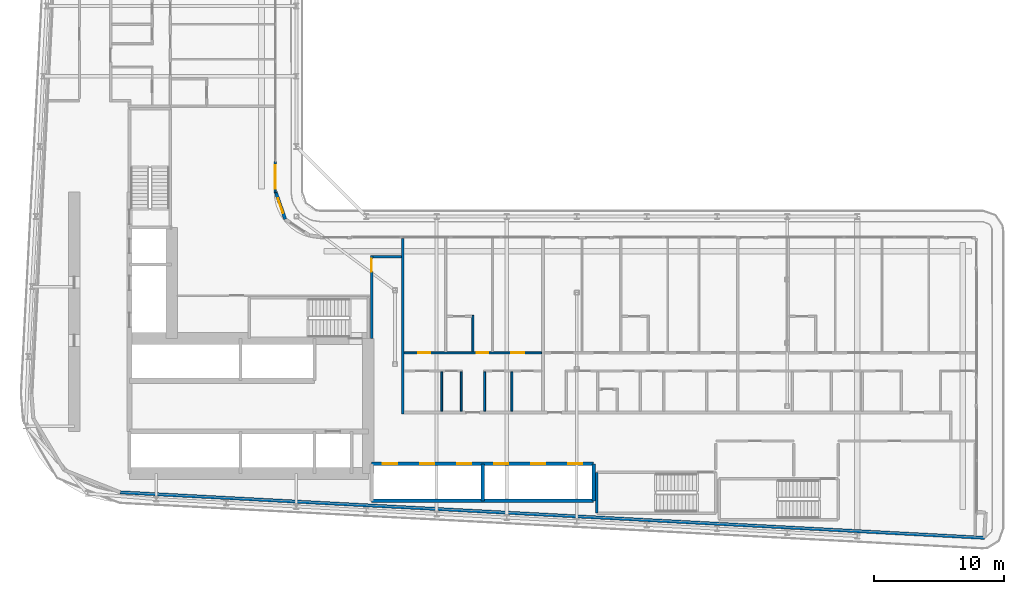
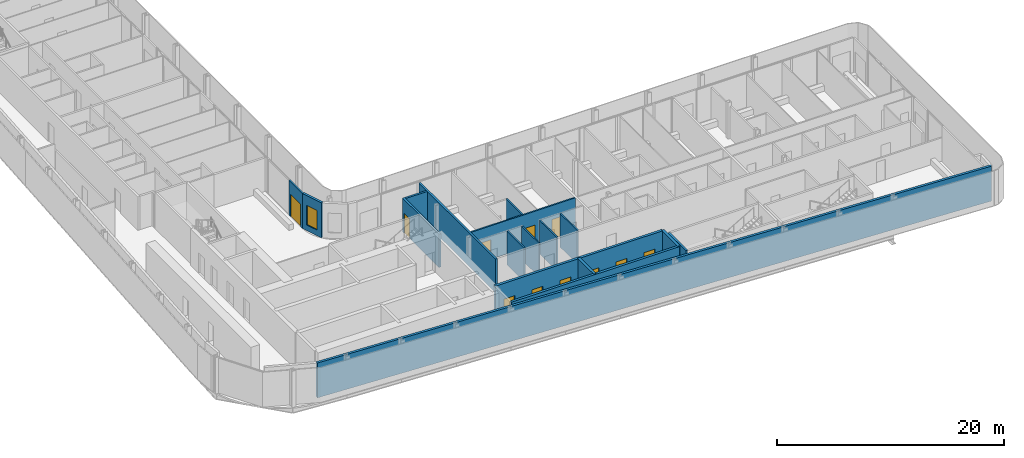
# One storey, part 15 of 29: 17 walls, 11 doors, 1 window, 12 openings.
"""IFC4 building model written with IfcOpenShell, lengths in metres."""

from ifc_helpers import new_model, si_unit, direction, frame, frame_2d, origin, place, context, subcontext, project, spatial, rectangle, extrude, source, transform, mapped, material, layer, layer_set, type_object, element, fill, save


model = new_model("IFC4")

# Units and contexts
model_context = context("Model", 3, precision=1e-05, world=origin(), true_north=direction((0.0, 1.0)))
body_context = subcontext(model_context, "Body", "Model", "MODEL_VIEW")
ifc_project = project(units=[si_unit("LENGTHUNIT", "METRE"), si_unit("AREAUNIT", "SQUARE_METRE"), si_unit("VOLUMEUNIT", "CUBIC_METRE"), si_unit("PLANEANGLEUNIT", "RADIAN"), si_unit("MASSUNIT", "GRAM", prefix="KILO")], contexts=[model_context])

# Site, building, storey
site_placement = place(None, origin())
site = spatial("IfcSite", under=ifc_project, at=site_placement, CompositionType="ELEMENT")
building_placement = place(site_placement, origin())
building = spatial("IfcBuilding", under=site, at=building_placement, Name="Kheshtan School and Residences Tower", CompositionType="ELEMENT")
storey_placement = place(building_placement, frame((0.0, 0.0, 121.39990234375)))
storey = spatial("IfcBuildingStorey", under=building, at=storey_placement, Name="L28", CompositionType="ELEMENT", Elevation=121.39990234375)

# Wall, opening, door
ifc_material_1 = material(Name="Gypsum board on steel studs with fire boards", Category="steel")
ifc_layer_1 = layer(ifc_material_1, 0.199951171875)
ifc_layer_set_1 = layer_set([ifc_layer_1], Name="Corridor wall 200")
wall_type_1 = type_object("IfcWallType", Name="Corridor wall 200", PredefinedType="PARTITIONING", material=ifc_layer_set_1)
wall_1_placement = place(storey_placement, frame((53.39990234375, 36.198974609375, 0.0), z_axis=(0.0, 0.0, 1.0), x_axis=(0.0, 1.0, 0.0)))
wall_1 = element("IfcWall", 1, at=wall_1_placement, inside=storey, type_object=wall_type_1, Name="Partition L28-048", PredefinedType="PARTITIONING", context=body_context, shape_type="SweptSolid", body=[
    extrude(rectangle(XDim=6.401123046875, YDim=0.199951171875, at=frame_2d((3.20068359375, 0.0))), origin(), (0.0, 0.0, 1.0), 3.60009765625),
])
opening_1_placement = place(wall_1_placement, frame((5.15087890625, 0.0, 0.0)))
opening_1 = element("IfcOpeningElement", 2, at=opening_1_placement, cuts=wall_1, Name="Opening D27-067", PredefinedType="OPENING", context=body_context, shape_type="SweptSolid", body=[
    extrude(rectangle(XDim=1.0, YDim=2.10009765625, at=frame_2d((0.5, 1.050048828125))), frame((0.0, 0.10986328125, 0.0), z_axis=(0.0, -1.0, 0.0), x_axis=(1.0, 0.0, 0.0)), (0.0, 0.0, 1.0), 0.219970703125),
])
ifc_material_2 = material(Name="Steel-framed fire-resisting door leaf", Category="steel")
door_type_1 = type_object("IfcDoorType", Name="Fire door FD60 1000 x 2100", OperationType="SINGLE_SWING_LEFT", PredefinedType="DOOR", material=ifc_material_2)
shared_shape_1 = source(origin(), body_context, "Body", "SweptSolid", [
    extrude(rectangle(XDim=1.0, YDim=2.10009765625, at=frame_2d((0.5, 1.050048828125))), frame((0.0, 0.02490234375, 0.0), z_axis=(0.0, -1.0, 0.0), x_axis=(1.0, 0.0, 0.0)), (0.0, 0.0, 1.0), 0.050048828125),
])
door_1_placement = place(opening_1_placement, origin())
door_1 = element("IfcDoor", 3, at=door_1_placement, inside=storey, type_object=door_type_1, Name="Door D27-067", OperationType="SINGLE_SWING_RIGHT", OverallHeight=2.10009765625, OverallWidth=1.0, PredefinedType="DOOR", context=body_context, shape_type="MappedRepresentation", body=[
    mapped(shared_shape_1, transform((0.0, 0.0, 0.0), x_axis=(1.0, 0.0, 0.0), y_axis=(0.0, 1.0, 0.0), z_axis=(0.0, 0.0, 1.0), scale=1.0)),
])
fill(opening_1, door_1)

# Wall
wall_2_placement = place(storey_placement, frame((53.5, 42.5, 0.0), z_axis=(0.0, 0.0, 1.0), x_axis=(1.0, 0.0, 0.0)))
element("IfcWall", 4, at=wall_2_placement, inside=storey, type_object=wall_type_1, Name="Partition L28-049", PredefinedType="PARTITIONING", context=body_context, shape_type="SweptSolid", body=[
    extrude(rectangle(XDim=2.199951171875, YDim=0.199951171875, at=frame_2d((1.10009765625, 0.0))), origin(), (0.0, 0.0, 1.0), 3.60009765625),
])

# Wall, opening, window
ifc_material_3 = material(Name="Concrete C40/50 with ceramic cladding and mineral wool insulation", Category="concrete")
ifc_layer_2 = layer(ifc_material_3, 0.25)
ifc_layer_set_2 = layer_set([ifc_layer_2], Name="External wall 250 ceramic clad")
wall_type_2 = type_object("IfcWallType", Name="External wall 250 ceramic clad", PredefinedType="SOLIDWALL", material=ifc_layer_set_2)
wall_3_placement = place(storey_placement, frame((46.01806640625, 47.470947265625, 0.0), z_axis=(0.0, 0.0, 1.0), x_axis=(0.328791208903, -0.944402637093, 0.0)))
wall_3 = element("IfcWall", 5, at=wall_3_placement, inside=storey, type_object=wall_type_2, Name="External wall L28 9", PredefinedType="SOLIDWALL", context=body_context, shape_type="SweptSolid", body=[
    extrude(rectangle(XDim=2.20458984375, YDim=0.25, at=frame_2d((1.102294921875, 0.0))), origin(), (0.0, 0.0, 1.0), 3.75),
])
opening_2_placement = place(wall_3_placement, frame((0.5029296875, 0.0, 0.60009765625)))
opening_2 = element("IfcOpeningElement", 6, at=opening_2_placement, cuts=wall_3, Name="Opening WN-E", PredefinedType="OPENING", context=body_context, shape_type="SweptSolid", body=[
    extrude(rectangle(XDim=1.199951171875, YDim=2.10009765625, at=frame_2d((0.60009765625, 1.050048828125))), frame((0.0, 0.135009765625, 0.0), z_axis=(0.0, -1.0, 0.0), x_axis=(1.0, 0.0, 0.0)), (0.0, 0.0, 1.0), 0.27001953125),
])
ifc_material_4 = material(Name="Clear low-e glass in thermally broken aluminium frame", Category="aluminium")
window_type = type_object("IfcWindowType", Name="Window WN-E", PartitioningType="SINGLE_PANEL", PredefinedType="WINDOW", material=ifc_material_4)
shared_shape_2 = source(origin(), body_context, "Body", "SweptSolid", [
    extrude(rectangle(XDim=1.199951171875, YDim=2.10009765625, at=frame_2d((0.60009765625, 1.050048828125))), frame((0.0, 0.030029296875, 0.0), z_axis=(0.0, -1.0, 0.0), x_axis=(1.0, 0.0, 0.0)), (0.0, 0.0, 1.0), 0.06005859375),
])
window_placement = place(opening_2_placement, origin())
window = element("IfcWindow", 7, at=window_placement, inside=storey, type_object=window_type, Name="Window L28 9", OverallHeight=2.10009765625, OverallWidth=1.199951171875, PartitioningType="SINGLE_PANEL", PredefinedType="WINDOW", context=body_context, shape_type="MappedRepresentation", body=[
    mapped(shared_shape_2, transform((0.0, 0.0, 0.0), x_axis=(1.0, 0.0, 0.0), y_axis=(0.0, 1.0, 0.0), z_axis=(0.0, 0.0, 1.0), scale=1.0)),
])
fill(opening_2, window)

# Wall
wall_4_placement = place(storey_placement, frame((100.5859375, 20.85009765625, 0.0), z_axis=(0.0, 0.0, 1.0), x_axis=(-0.99861746497, 0.052565755559, 0.0)))
element("IfcWall", 8, at=wall_4_placement, inside=storey, type_object=wall_type_2, Name="External wall L28 16", PredefinedType="SOLIDWALL", context=body_context, shape_type="SweptSolid", body=[
    extrude(rectangle(XDim=66.638916015625, YDim=0.25, at=frame_2d((33.3193359375, 0.0))), origin(), (0.0, 0.0, 1.0), 3.75),
])

# Wall, opening, door
ifc_material_5 = material(Name="Aluminium frame wall with insulated infill", Category="aluminium")
ifc_layer_3 = layer(ifc_material_5, 0.14990234375)
ifc_layer_set_3 = layer_set([ifc_layer_3], Name="Glazing frame wall 150")
wall_type_3 = type_object("IfcWallType", Name="Glazing frame wall 150", PredefinedType="SOLIDWALL", material=ifc_layer_set_3)
wall_5_placement = place(storey_placement, frame((45.97509765625, 49.830078125, 0.0), z_axis=(0.0, 0.0, 1.0), x_axis=(0.0, -1.0, 0.0)))
wall_5 = element("IfcWall", 9, at=wall_5_placement, inside=storey, type_object=wall_type_3, Name="Balcony door wall L28 8.5", PredefinedType="SOLIDWALL", context=body_context, shape_type="SweptSolid", body=[
    extrude(rectangle(XDim=2.400146484375, YDim=0.14990234375, at=frame_2d((1.2001953125, 0.0))), origin(), (0.0, 0.0, 1.0), 3.75),
])
opening_3_placement = place(wall_5_placement, frame((0.300048828125, 0.0, 0.0)))
opening_3 = element("IfcOpeningElement", 10, at=opening_3_placement, cuts=wall_5, Name="Opening BD", PredefinedType="OPENING", context=body_context, shape_type="SweptSolid", body=[
    extrude(rectangle(XDim=1.800048828125, YDim=2.39990234375, at=frame_2d((0.89990234375, 1.199951171875))), frame((0.0, 0.0849609375, 0.0), z_axis=(0.0, -1.0, 0.0), x_axis=(1.0, 0.0, 0.0)), (0.0, 0.0, 1.0), 0.169921875),
])
door_type_2 = type_object("IfcDoorType", Name="Balcony sliding door", OperationType="SLIDING_TO_LEFT", PredefinedType="DOOR", material=ifc_material_4)
shared_shape_3 = source(origin(), body_context, "Body", "SweptSolid", [
    extrude(rectangle(XDim=1.800048828125, YDim=2.39990234375, at=frame_2d((0.89990234375, 1.199951171875))), frame((0.0, 0.02490234375, 0.0), z_axis=(0.0, -1.0, 0.0), x_axis=(1.0, 0.0, 0.0)), (0.0, 0.0, 1.0), 0.050048828125),
])
door_2_placement = place(opening_3_placement, origin())
door_2 = element("IfcDoor", 11, at=door_2_placement, inside=storey, type_object=door_type_2, Name="Balcony door L28 8.5", OperationType="SLIDING_TO_LEFT", OverallHeight=2.39990234375, OverallWidth=1.800048828125, PredefinedType="DOOR", context=body_context, shape_type="MappedRepresentation", body=[
    mapped(shared_shape_3, transform((0.0, 0.0, 0.0), x_axis=(1.0, 0.0, 0.0), y_axis=(0.0, 1.0, 0.0), z_axis=(0.0, 0.0, 1.0), scale=1.0)),
])
fill(opening_3, door_2)

# Walls
ifc_material_6 = material(Name="Fire-board shaft wall system")
ifc_layer_4 = layer(ifc_material_6, 0.25)
ifc_layer_set_4 = layer_set([ifc_layer_4], Name="Shaft lining wall 250")
wall_type_4 = type_object("IfcWallType", Name="Shaft lining wall 250", PredefinedType="PARTITIONING", material=ifc_layer_set_4)
for number, where, z_axis, x_axis, name in (
    (12, (61.949951171875, 23.699951171875, 0.0), (0.0, 0.0, 1.0), (0.0, 1.0, 0.0), "Shaft lining wall"),
    (13, (70.5, 23.699951171875, 0.0), (0.0, 0.0, 1.0), (0.0, 1.0, 0.0), "Shaft lining wall"),
):
    element("IfcWall", number, at=place(storey_placement, frame(where, z_axis=z_axis, x_axis=x_axis)), inside=storey, type_object=wall_type_4, Name=name, PredefinedType="PARTITIONING", context=body_context, shape_type="SweptSolid", body=[
        extrude(rectangle(XDim=2.85009765625, YDim=0.25, at=frame_2d((1.425048828125, 0.0))), origin(), (0.0, 0.0, 1.0), 3.900146484375),
    ])
wall_6_placement = place(storey_placement, frame((53.39990234375, 23.699951171875, 0.0), z_axis=(0.0, 0.0, 1.0), x_axis=(1.0, 0.0, 0.0)))
element("IfcWall", 14, at=wall_6_placement, inside=storey, type_object=wall_type_4, Name="Shaft lining wall", PredefinedType="PARTITIONING", context=body_context, shape_type="SweptSolid", body=[
    extrude(rectangle(XDim=17.10009765625, YDim=0.25, at=frame_2d((8.550048828125, 0.0))), origin(), (0.0, 0.0, 1.0), 3.900146484375),
])

# Wall, openings, doors
wall_7_placement = place(storey_placement, frame((53.39990234375, 26.550048828125, 0.0), z_axis=(0.0, 0.0, 1.0), x_axis=(1.0, 0.0, 0.0)))
wall_7 = element("IfcWall", 15, at=wall_7_placement, inside=storey, type_object=wall_type_4, Name="Shaft lining wall", PredefinedType="PARTITIONING", context=body_context, shape_type="SweptSolid", body=[
    extrude(rectangle(XDim=17.10009765625, YDim=0.25, at=frame_2d((8.550048828125, 0.0))), origin(), (0.0, 0.0, 1.0), 3.900146484375),
])
opening_4_placement = place(wall_7_placement, frame((0.875, 0.0, 0.0)))
opening_4 = element("IfcOpeningElement", 16, at=opening_4_placement, cuts=wall_7, Name="Opening LD", PredefinedType="OPENING", context=body_context, shape_type="SweptSolid", body=[
    extrude(rectangle(XDim=1.10009765625, YDim=2.199951171875, at=frame_2d((0.550048828125, 1.10009765625))), frame((0.0, 0.135009765625, 0.0), z_axis=(0.0, -1.0, 0.0), x_axis=(1.0, 0.0, 0.0)), (0.0, 0.0, 1.0), 0.27001953125),
])
opening_5_placement = place(wall_7_placement, frame((3.72509765625, 0.0, 0.0)))
opening_5 = element("IfcOpeningElement", 17, at=opening_5_placement, cuts=wall_7, Name="Opening LD", PredefinedType="OPENING", context=body_context, shape_type="SweptSolid", body=[
    extrude(rectangle(XDim=1.10009765625, YDim=2.199951171875, at=frame_2d((0.550048828125, 1.10009765625))), frame((0.0, 0.135009765625, 0.0), z_axis=(0.0, -1.0, 0.0), x_axis=(1.0, 0.0, 0.0)), (0.0, 0.0, 1.0), 0.27001953125),
])
opening_6_placement = place(wall_7_placement, frame((6.574951171875, 0.0, 0.0)))
opening_6 = element("IfcOpeningElement", 18, at=opening_6_placement, cuts=wall_7, Name="Opening LD", PredefinedType="OPENING", context=body_context, shape_type="SweptSolid", body=[
    extrude(rectangle(XDim=1.10009765625, YDim=2.199951171875, at=frame_2d((0.550048828125, 1.10009765625))), frame((0.0, 0.135009765625, 0.0), z_axis=(0.0, -1.0, 0.0), x_axis=(1.0, 0.0, 0.0)), (0.0, 0.0, 1.0), 0.27001953125),
])
opening_7_placement = place(wall_7_placement, frame((9.425048828125, 0.0, 0.0)))
opening_7 = element("IfcOpeningElement", 19, at=opening_7_placement, cuts=wall_7, Name="Opening LD", PredefinedType="OPENING", context=body_context, shape_type="SweptSolid", body=[
    extrude(rectangle(XDim=1.10009765625, YDim=2.199951171875, at=frame_2d((0.550048828125, 1.10009765625))), frame((0.0, 0.135009765625, 0.0), z_axis=(0.0, -1.0, 0.0), x_axis=(1.0, 0.0, 0.0)), (0.0, 0.0, 1.0), 0.27001953125),
])
opening_8_placement = place(wall_7_placement, frame((12.27490234375, 0.0, 0.0)))
opening_8 = element("IfcOpeningElement", 20, at=opening_8_placement, cuts=wall_7, Name="Opening LD", PredefinedType="OPENING", context=body_context, shape_type="SweptSolid", body=[
    extrude(rectangle(XDim=1.10009765625, YDim=2.199951171875, at=frame_2d((0.550048828125, 1.10009765625))), frame((0.0, 0.135009765625, 0.0), z_axis=(0.0, -1.0, 0.0), x_axis=(1.0, 0.0, 0.0)), (0.0, 0.0, 1.0), 0.27001953125),
])
opening_9_placement = place(wall_7_placement, frame((15.125, 0.0, 0.0)))
opening_9 = element("IfcOpeningElement", 21, at=opening_9_placement, cuts=wall_7, Name="Opening LD", PredefinedType="OPENING", context=body_context, shape_type="SweptSolid", body=[
    extrude(rectangle(XDim=1.10009765625, YDim=2.199951171875, at=frame_2d((0.550048828125, 1.10009765625))), frame((0.0, 0.135009765625, 0.0), z_axis=(0.0, -1.0, 0.0), x_axis=(1.0, 0.0, 0.0)), (0.0, 0.0, 1.0), 0.27001953125),
])
ifc_material_7 = material(Name="Stainless steel door leaves", Category="steel")
door_type_3 = type_object("IfcDoorType", Name="Lift landing door 1100", OperationType="SLIDING_TO_LEFT", PredefinedType="DOOR", material=ifc_material_7)
shared_shape_4 = source(origin(), body_context, "Body", "SweptSolid", [
    extrude(rectangle(XDim=1.10009765625, YDim=2.199951171875, at=frame_2d((0.550048828125, 1.10009765625))), frame((0.0, 0.02490234375, 0.0), z_axis=(0.0, -1.0, 0.0), x_axis=(1.0, 0.0, 0.0)), (0.0, 0.0, 1.0), 0.050048828125),
])
door_3_placement = place(opening_4_placement, origin())
door_3 = element("IfcDoor", 22, at=door_3_placement, inside=storey, type_object=door_type_3, Name="Lift P1 landing door", OperationType="SLIDING_TO_LEFT", OverallHeight=2.199951171875, OverallWidth=1.10009765625, PredefinedType="DOOR", context=body_context, shape_type="MappedRepresentation", body=[
    mapped(shared_shape_4, transform((0.0, 0.0, 0.0), x_axis=(1.0, 0.0, 0.0), y_axis=(0.0, 1.0, 0.0), z_axis=(0.0, 0.0, 1.0), scale=1.0)),
])
fill(opening_4, door_3)
door_4_placement = place(opening_5_placement, origin())
door_4 = element("IfcDoor", 23, at=door_4_placement, inside=storey, type_object=door_type_3, Name="Lift P2 landing door", OperationType="SLIDING_TO_LEFT", OverallHeight=2.199951171875, OverallWidth=1.10009765625, PredefinedType="DOOR", context=body_context, shape_type="MappedRepresentation", body=[
    mapped(shared_shape_4, transform((0.0, 0.0, 0.0), x_axis=(1.0, 0.0, 0.0), y_axis=(0.0, 1.0, 0.0), z_axis=(0.0, 0.0, 1.0), scale=1.0)),
])
fill(opening_5, door_4)
door_5_placement = place(opening_6_placement, origin())
door_5 = element("IfcDoor", 24, at=door_5_placement, inside=storey, type_object=door_type_3, Name="Lift P3 landing door", OperationType="SLIDING_TO_LEFT", OverallHeight=2.199951171875, OverallWidth=1.10009765625, PredefinedType="DOOR", context=body_context, shape_type="MappedRepresentation", body=[
    mapped(shared_shape_4, transform((0.0, 0.0, 0.0), x_axis=(1.0, 0.0, 0.0), y_axis=(0.0, 1.0, 0.0), z_axis=(0.0, 0.0, 1.0), scale=1.0)),
])
fill(opening_6, door_5)
door_6_placement = place(opening_7_placement, origin())
door_6 = element("IfcDoor", 25, at=door_6_placement, inside=storey, type_object=door_type_3, Name="Lift P4 landing door", OperationType="SLIDING_TO_LEFT", OverallHeight=2.199951171875, OverallWidth=1.10009765625, PredefinedType="DOOR", context=body_context, shape_type="MappedRepresentation", body=[
    mapped(shared_shape_4, transform((0.0, 0.0, 0.0), x_axis=(1.0, 0.0, 0.0), y_axis=(0.0, 1.0, 0.0), z_axis=(0.0, 0.0, 1.0), scale=1.0)),
])
fill(opening_7, door_6)
door_7_placement = place(opening_8_placement, origin())
door_7 = element("IfcDoor", 26, at=door_7_placement, inside=storey, type_object=door_type_3, Name="Lift P5 landing door", OperationType="SLIDING_TO_LEFT", OverallHeight=2.199951171875, OverallWidth=1.10009765625, PredefinedType="DOOR", context=body_context, shape_type="MappedRepresentation", body=[
    mapped(shared_shape_4, transform((0.0, 0.0, 0.0), x_axis=(1.0, 0.0, 0.0), y_axis=(0.0, 1.0, 0.0), z_axis=(0.0, 0.0, 1.0), scale=1.0)),
])
fill(opening_8, door_7)
door_8_placement = place(opening_9_placement, origin())
door_8 = element("IfcDoor", 27, at=door_8_placement, inside=storey, type_object=door_type_3, Name="Lift P6 landing door", OperationType="SLIDING_TO_LEFT", OverallHeight=2.199951171875, OverallWidth=1.10009765625, PredefinedType="DOOR", context=body_context, shape_type="MappedRepresentation", body=[
    mapped(shared_shape_4, transform((0.0, 0.0, 0.0), x_axis=(1.0, 0.0, 0.0), y_axis=(0.0, 1.0, 0.0), z_axis=(0.0, 0.0, 1.0), scale=1.0)),
])
fill(opening_9, door_8)

# Walls
ifc_material_8 = material(Name="Concrete C40/50", Category="concrete")
ifc_layer_5 = layer(ifc_material_8, 0.199951171875)
ifc_layer_set_5 = layer_set([ifc_layer_5], Name="Stair enclosure wall 200 Concrete C40/50")
wall_type_5 = type_object("IfcWallType", Name="Stair enclosure wall 200 Concrete C40/50", PredefinedType="SHEAR", material=ifc_layer_set_5)
wall_8_placement = place(storey_placement, frame((70.75, 22.75, 0.0), z_axis=(0.0, 0.0, 1.0), x_axis=(0.0, 1.0, 0.0)))
element("IfcWall", 28, at=wall_8_placement, inside=storey, type_object=wall_type_5, Name="Stair enclosure wall ST5", PredefinedType="SHEAR", context=body_context, shape_type="SweptSolid", body=[
    extrude(rectangle(XDim=3.14990234375, YDim=0.199951171875, at=frame_2d((1.574951171875, 0.0))), origin(), (0.0, 0.0, 1.0), 3.900146484375),
])
ifc_material_9 = material(Name="Twin gypsum board on steel studs with mineral wool", Category="steel")
ifc_layer_6 = layer(ifc_material_9, 0.199951171875)
ifc_layer_set_6 = layer_set([ifc_layer_6], Name="Unit demising wall 200")
wall_type_6 = type_object("IfcWallType", Name="Unit demising wall 200", PredefinedType="PARTITIONING", material=ifc_layer_set_6)
wall_9_placement = place(storey_placement, frame((55.800048828125, 30.39990234375, 0.0), z_axis=(0.0, 0.0, 1.0), x_axis=(0.0, 1.0, 0.0)))
element("IfcWall", 29, at=wall_9_placement, inside=storey, type_object=wall_type_6, Name="Partition L28-050", PredefinedType="PARTITIONING", context=body_context, shape_type="SweptSolid", body=[
    extrude(rectangle(XDim=13.5, YDim=0.199951171875, at=frame_2d((6.75, 0.0))), origin(), (0.0, 0.0, 1.0), 3.60009765625),
])

# Wall, openings, doors
ifc_material_10 = material(Name="Moisture-resistant gypsum board on steel studs", Category="steel")
ifc_layer_7 = layer(ifc_material_10, 0.14990234375)
ifc_layer_set_7 = layer_set([ifc_layer_7], Name="Wet-room partition 150")
wall_type_7 = type_object("IfcWallType", Name="Wet-room partition 150", PredefinedType="PARTITIONING", material=ifc_layer_set_7)
wall_10_placement = place(storey_placement, frame((55.89990234375, 35.10009765625, 0.0), z_axis=(0.0, 0.0, 1.0), x_axis=(1.0, 0.0, 0.0)))
wall_10 = element("IfcWall", 30, at=wall_10_placement, inside=storey, type_object=wall_type_7, Name="Partition L28-053", PredefinedType="PARTITIONING", context=body_context, shape_type="SweptSolid", body=[
    extrude(rectangle(XDim=10.60009765625, YDim=0.14990234375, at=frame_2d((5.300048828125, 0.0))), origin(), (0.0, 0.0, 1.0), 3.60009765625),
])
opening_10_placement = place(wall_10_placement, frame((1.10009765625, 0.0, 0.0)))
opening_10 = element("IfcOpeningElement", 31, at=opening_10_placement, cuts=wall_10, Name="Opening D27-002", PredefinedType="OPENING", context=body_context, shape_type="SweptSolid", body=[
    extrude(rectangle(XDim=0.89990234375, YDim=2.10009765625, at=frame_2d((0.449951171875, 1.050048828125))), frame((0.0, 0.0849609375, 0.0), z_axis=(0.0, -1.0, 0.0), x_axis=(1.0, 0.0, 0.0)), (0.0, 0.0, 1.0), 0.169921875),
])
opening_11_placement = place(wall_10_placement, frame((8.25, 0.0, 0.0)))
opening_11 = element("IfcOpeningElement", 32, at=opening_11_placement, cuts=wall_10, Name="Opening D27-007", PredefinedType="OPENING", context=body_context, shape_type="SweptSolid", body=[
    extrude(rectangle(XDim=1.0, YDim=2.10009765625, at=frame_2d((0.5, 1.050048828125))), frame((0.0, 0.0849609375, 0.0), z_axis=(0.0, -1.0, 0.0), x_axis=(1.0, 0.0, 0.0)), (0.0, 0.0, 1.0), 0.169921875),
])
opening_12_placement = place(wall_10_placement, frame((5.60009765625, 0.0, 0.0)))
opening_12 = element("IfcOpeningElement", 33, at=opening_12_placement, cuts=wall_10, Name="Opening D27-008", PredefinedType="OPENING", context=body_context, shape_type="SweptSolid", body=[
    extrude(rectangle(XDim=0.89990234375, YDim=2.10009765625, at=frame_2d((0.449951171875, 1.050048828125))), frame((0.0, 0.0849609375, 0.0), z_axis=(0.0, -1.0, 0.0), x_axis=(1.0, 0.0, 0.0)), (0.0, 0.0, 1.0), 0.169921875),
])
ifc_material_11 = material(Name="Veneered timber door leaf", Category="wood")
door_type_4 = type_object("IfcDoorType", Name="Door 1000 x 2100", OperationType="SINGLE_SWING_LEFT", PredefinedType="DOOR", material=ifc_material_11)
shared_shape_5 = source(origin(), body_context, "Body", "SweptSolid", [
    extrude(rectangle(XDim=1.0, YDim=2.10009765625, at=frame_2d((0.5, 1.050048828125))), frame((0.0, 0.02490234375, 0.0), z_axis=(0.0, -1.0, 0.0), x_axis=(1.0, 0.0, 0.0)), (0.0, 0.0, 1.0), 0.050048828125),
])
door_9_placement = place(opening_11_placement, origin())
door_9 = element("IfcDoor", 34, at=door_9_placement, inside=storey, type_object=door_type_4, Name="Door D27-007", OperationType="SINGLE_SWING_LEFT", OverallHeight=2.10009765625, OverallWidth=1.0, PredefinedType="DOOR", context=body_context, shape_type="MappedRepresentation", body=[
    mapped(shared_shape_5, transform((0.0, 0.0, 0.0), x_axis=(1.0, 0.0, 0.0), y_axis=(0.0, 1.0, 0.0), z_axis=(0.0, 0.0, 1.0), scale=1.0)),
])
fill(opening_11, door_9)
door_type_5 = type_object("IfcDoorType", Name="Door 900 x 2100", OperationType="SINGLE_SWING_LEFT", PredefinedType="DOOR", material=ifc_material_11)
shared_shape_6 = source(origin(), body_context, "Body", "SweptSolid", [
    extrude(rectangle(XDim=0.89990234375, YDim=2.10009765625, at=frame_2d((0.449951171875, 1.050048828125))), frame((0.0, 0.02490234375, 0.0), z_axis=(0.0, -1.0, 0.0), x_axis=(1.0, 0.0, 0.0)), (0.0, 0.0, 1.0), 0.050048828125),
])
door_10_placement = place(opening_10_placement, origin())
door_10 = element("IfcDoor", 35, at=door_10_placement, inside=storey, type_object=door_type_5, Name="Door D27-002", OperationType="SINGLE_SWING_RIGHT", OverallHeight=2.10009765625, OverallWidth=0.89990234375, PredefinedType="DOOR", context=body_context, shape_type="MappedRepresentation", body=[
    mapped(shared_shape_6, transform((0.0, 0.0, 0.0), x_axis=(1.0, 0.0, 0.0), y_axis=(0.0, 1.0, 0.0), z_axis=(0.0, 0.0, 1.0), scale=1.0)),
])
fill(opening_10, door_10)
door_11_placement = place(opening_12_placement, origin())
door_11 = element("IfcDoor", 36, at=door_11_placement, inside=storey, type_object=door_type_5, Name="Door D27-008", OperationType="SINGLE_SWING_LEFT", OverallHeight=2.10009765625, OverallWidth=0.89990234375, PredefinedType="DOOR", context=body_context, shape_type="MappedRepresentation", body=[
    mapped(shared_shape_6, transform((0.0, 0.0, 0.0), x_axis=(1.0, 0.0, 0.0), y_axis=(0.0, 1.0, 0.0), z_axis=(0.0, 0.0, 1.0), scale=1.0)),
])
fill(opening_12, door_11)

# Walls
for number, where, z_axis, x_axis, name in (
    (37, (58.800048828125, 30.60009765625, 0.0), (0.0, 0.0, 1.0), (0.0, 1.0, 0.0), "Partition L28-054"),
    (38, (60.300048828125, 30.60009765625, 0.0), (0.0, 0.0, 1.0), (0.0, 1.0, 0.0), "Partition L28-057"),
):
    element("IfcWall", number, at=place(storey_placement, frame(where, z_axis=z_axis, x_axis=x_axis)), inside=storey, type_object=wall_type_7, Name=name, PredefinedType="PARTITIONING", context=body_context, shape_type="SweptSolid", body=[
        extrude(rectangle(XDim=3.02490234375, YDim=0.14990234375, at=frame_2d((1.512451171875, 0.0))), origin(), (0.0, 0.0, 1.0), 3.60009765625),
    ])
wall_11_placement = place(storey_placement, frame((61.199951171875, 35.175048828125, 0.0), z_axis=(0.0, 0.0, 1.0), x_axis=(0.0, 1.0, 0.0)))
element("IfcWall", 39, at=wall_11_placement, inside=storey, type_object=wall_type_7, Name="Partition L28-058", PredefinedType="PARTITIONING", context=body_context, shape_type="SweptSolid", body=[
    extrude(rectangle(XDim=2.800048828125, YDim=0.14990234375, at=frame_2d((1.39990234375, 0.0))), origin(), (0.0, 0.0, 1.0), 3.60009765625),
])
for number, where, z_axis, x_axis, name in (
    (40, (62.10009765625, 30.60009765625, 0.0), (0.0, 0.0, 1.0), (0.0, 1.0, 0.0), "Partition L28-060"),
    (41, (64.199951171875, 30.60009765625, 0.0), (0.0, 0.0, 1.0), (0.0, 1.0, 0.0), "Partition L28-062"),
):
    element("IfcWall", number, at=place(storey_placement, frame(where, z_axis=z_axis, x_axis=x_axis)), inside=storey, type_object=wall_type_7, Name=name, PredefinedType="PARTITIONING", context=body_context, shape_type="SweptSolid", body=[
        extrude(rectangle(XDim=3.02490234375, YDim=0.14990234375, at=frame_2d((1.512451171875, 0.0))), origin(), (0.0, 0.0, 1.0), 3.60009765625),
    ])

save(model, "model.ifc")
